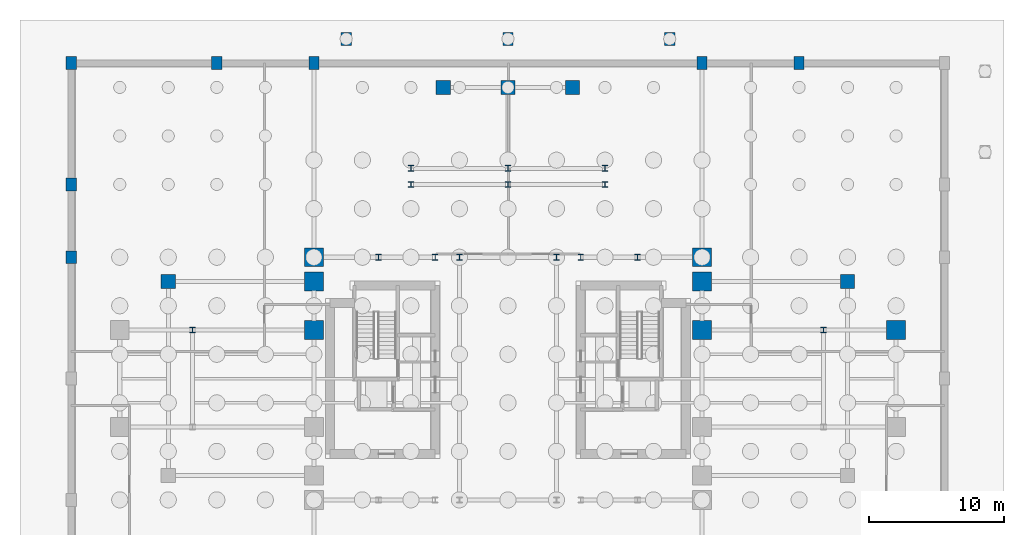
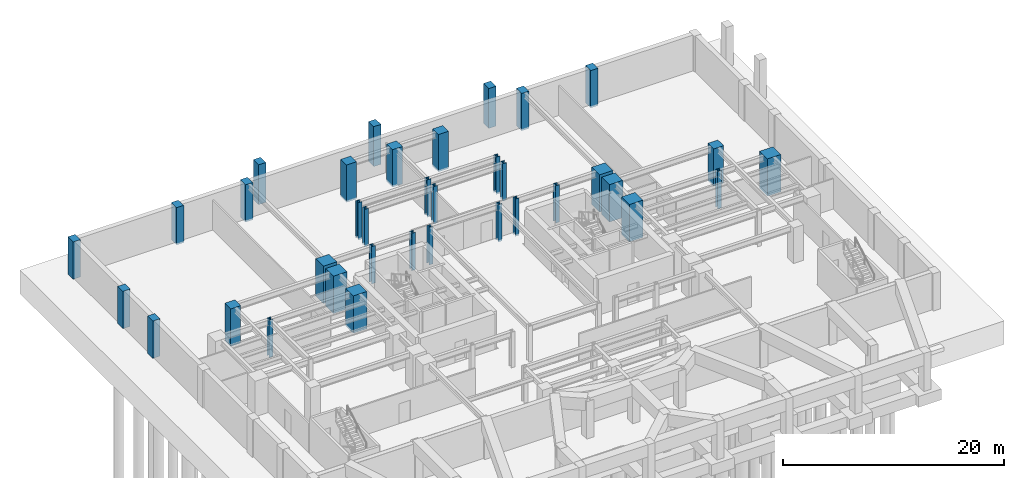
# One storey, part 4 of 13: 36 columns.
"""IFC4 building model written with IfcOpenShell, lengths in metres."""

from ifc_helpers import new_model, si_unit, direction, frame, origin, origin_2d, place, context, subcontext, project, spatial, rectangle, i_section, extrude, source, transform, mapped, material, material_profile, profile_set, type_object, element, save


model = new_model("IFC4")

# Units and contexts
model_context = context("Model", 3, precision=1e-05, world=origin(), true_north=direction((0.0, 1.0)))
body_context = subcontext(model_context, "Body", "Model", "MODEL_VIEW")
ifc_project = project(units=[si_unit("LENGTHUNIT", "METRE"), si_unit("AREAUNIT", "SQUARE_METRE"), si_unit("VOLUMEUNIT", "CUBIC_METRE"), si_unit("PLANEANGLEUNIT", "RADIAN"), si_unit("MASSUNIT", "GRAM", prefix="KILO")], contexts=[model_context])

# Site, building, storey
site_placement = place(None, origin())
site = spatial("IfcSite", under=ifc_project, at=site_placement, CompositionType="ELEMENT")
building_placement = place(site_placement, origin())
building = spatial("IfcBuilding", under=site, at=building_placement, Name="Keilestroom Media Tower", CompositionType="ELEMENT")
storey_placement = place(building_placement, frame((0.0, 0.0, -8.39990234375)))
storey = spatial("IfcBuildingStorey", under=building, at=storey_placement, Name="B2", CompositionType="ELEMENT", Elevation=-8.39990234375)

# Columns
ifc_material_1 = material(Name="Precast concrete C40/50", Category="concrete")
ifc_material_profile_1 = material_profile(ifc_material_1, rectangle(XDim=0.75, YDim=0.949951171875, at=origin_2d()), Name="PC 950x750")
ifc_profile_set_1 = profile_set([ifc_material_profile_1], Name="Precast concrete C40/50")
column_type_1 = type_object("IfcColumnType", Name="Structural-Column-PC-950x750", PredefinedType="COLUMN", material=ifc_profile_set_1)
shared_shape_1 = source(origin(), body_context, "Body", "SweptSolid", [
    extrude(rectangle(XDim=0.75, YDim=0.949951171875, at=origin_2d()), origin(), (0.0, 0.0, 1.0), 4.1201171875),
])
for number, where, z_axis, x_axis, name in (
    (1, (-32.39990234375, 9.0, -0.2001953125), (0.0, 0.0, 1.0), (1.0, 0.0, 0.0), "B2 Column PC-1 (-32.4,+9.0)"),
    (2, (-32.39990234375, 14.39990234375, -0.2001953125), (0.0, 0.0, 1.0), (1.0, 0.0, 0.0), "B2 Column PC-1 (-32.4,+14.4)"),
    (3, (-32.39990234375, 23.39990234375, -0.2001953125), (0.0, 0.0, 1.0), (1.0, 0.0, 0.0), "B2 Column PC-1 (-32.4,+23.4)"),
    (4, (-21.60009765625, 23.39990234375, -0.2001953125), (0.0, 0.0, 1.0), (1.0, 0.0, 0.0), "B2 Column PC-1 (-21.6,+23.4)"),
    (5, (-14.39990234375, 23.39990234375, -0.2001953125), (0.0, 0.0, 1.0), (1.0, 0.0, 0.0), "B2 Column PC-1 (-14.4,+23.4)"),
    (6, (14.39990234375, 23.39990234375, -0.2001953125), (0.0, 0.0, 1.0), (1.0, 0.0, 0.0), "B2 Column PC-1 (+14.4,+23.4)"),
    (7, (21.60009765625, 23.39990234375, -0.2001953125), (0.0, 0.0, 1.0), (1.0, 0.0, 0.0), "B2 Column PC-1 (+21.6,+23.4)"),
):
    element("IfcColumn", number, at=place(storey_placement, frame(where, z_axis=z_axis, x_axis=x_axis)), inside=storey, type_object=column_type_1, Name=name, PredefinedType="COLUMN", context=body_context, shape_type="MappedRepresentation", body=[
        mapped(shared_shape_1, transform((0.0, 0.0, 0.0), x_axis=(1.0, 0.0, 0.0), y_axis=(0.0, 1.0, 0.0), z_axis=(0.0, 0.0, 1.0), scale=1.0)),
    ])
ifc_material_2 = material(Name="Concrete C70/85", Category="concrete")
ifc_material_profile_2 = material_profile(ifc_material_2, rectangle(XDim=1.39990234375, YDim=1.39990234375, at=origin_2d()), Name="RC 1400x1400")
ifc_profile_set_2 = profile_set([ifc_material_profile_2], Name="Concrete C70/85")
column_type_2 = type_object("IfcColumnType", Name="Structural-Column-RC-1400x1400", PredefinedType="COLUMN", material=ifc_profile_set_2)
shared_shape_2 = source(origin(), body_context, "Body", "SweptSolid", [
    extrude(rectangle(XDim=1.39990234375, YDim=1.39990234375, at=origin_2d()), origin(), (0.0, 0.0, 1.0), 4.1201171875),
])
for number, where, z_axis, x_axis, name in (
    (8, (-14.39990234375, 3.60009765625, -0.2001953125), (0.0, 0.0, 1.0), (1.0, 0.0, 0.0), "B2 Column MC-1 (-14.4,+3.6)"),
    (9, (-14.39990234375, 7.199951171875, -0.2001953125), (0.0, 0.0, 1.0), (1.0, 0.0, 0.0), "B2 Column MC-1 (-14.4,+7.2)"),
    (10, (-14.39990234375, 9.0, -0.2001953125), (0.0, 0.0, 1.0), (1.0, 0.0, 0.0), "B2 Column MC-1 (-14.4,+9.0)"),
    (11, (14.39990234375, 3.60009765625, -0.2001953125), (0.0, 0.0, 1.0), (1.0, 0.0, 0.0), "B2 Column MC-1 (+14.4,+3.6)"),
    (12, (14.39990234375, 7.199951171875, -0.2001953125), (0.0, 0.0, 1.0), (1.0, 0.0, 0.0), "B2 Column MC-1 (+14.4,+7.2)"),
    (13, (14.39990234375, 9.0, -0.2001953125), (0.0, 0.0, 1.0), (1.0, 0.0, 0.0), "B2 Column MC-1 (+14.4,+9.0)"),
    (14, (28.800048828125, 3.60009765625, -0.2001953125), (0.0, 0.0, 1.0), (1.0, 0.0, 0.0), "B2 Column MC-1 (+28.8,+3.6)"),
):
    element("IfcColumn", number, at=place(storey_placement, frame(where, z_axis=z_axis, x_axis=x_axis)), inside=storey, type_object=column_type_2, Name=name, PredefinedType="COLUMN", context=body_context, shape_type="MappedRepresentation", body=[
        mapped(shared_shape_2, transform((0.0, 0.0, 0.0), x_axis=(1.0, 0.0, 0.0), y_axis=(0.0, 1.0, 0.0), z_axis=(0.0, 0.0, 1.0), scale=1.0)),
    ])
shared_shape_3 = source(origin(), body_context, "Body", "SweptSolid", [
    extrude(rectangle(XDim=0.75, YDim=0.949951171875, at=origin_2d()), origin(), (0.0, 0.0, 1.0), 4.400146484375),
])
for number, where, z_axis, x_axis, name in (
    (15, (-12.0, 25.199951171875, -0.2001953125), (0.0, 0.0, 1.0), (1.0, 0.0, 0.0), "B2 Column PC-1 (-12.0,+25.2)"),
    (16, (0.0, 25.199951171875, -0.2001953125), (0.0, 0.0, 1.0), (1.0, 0.0, 0.0), "B2 Column PC-1 (+0.0,+25.2)"),
    (17, (12.0, 25.199951171875, -0.2001953125), (0.0, 0.0, 1.0), (1.0, 0.0, 0.0), "B2 Column PC-1 (+12.0,+25.2)"),
):
    element("IfcColumn", number, at=place(storey_placement, frame(where, z_axis=z_axis, x_axis=x_axis)), inside=storey, type_object=column_type_1, Name=name, PredefinedType="COLUMN", context=body_context, shape_type="MappedRepresentation", body=[
        mapped(shared_shape_3, transform((0.0, 0.0, 0.0), x_axis=(1.0, 0.0, 0.0), y_axis=(0.0, 1.0, 0.0), z_axis=(0.0, 0.0, 1.0), scale=1.0)),
    ])
ifc_material_3 = material(Name="Concrete C55/67", Category="concrete")
ifc_material_profile_3 = material_profile(ifc_material_3, rectangle(XDim=1.050048828125, YDim=1.050048828125, at=origin_2d()), Name="RC 1050x1050")
ifc_profile_set_3 = profile_set([ifc_material_profile_3], Name="Concrete C55/67")
column_type_3 = type_object("IfcColumnType", Name="Structural-Column-RC-1050x1050", PredefinedType="COLUMN", material=ifc_profile_set_3)
shared_shape_4 = source(origin(), body_context, "Body", "SweptSolid", [
    extrude(rectangle(XDim=1.050048828125, YDim=1.050048828125, at=origin_2d()), origin(), (0.0, 0.0, 1.0), 4.1201171875),
])
for number, where, z_axis, x_axis, name in (
    (18, (-25.199951171875, 7.199951171875, -0.2001953125), (0.0, 0.0, 1.0), (1.0, 0.0, 0.0), "B2 Column MC-3 (-25.2,+7.2)"),
    (19, (-4.800048828125, 21.60009765625, -0.2001953125), (0.0, 0.0, 1.0), (1.0, 0.0, 0.0), "B2 Column MC-3 (-4.8,+21.6)"),
    (20, (0.0, 21.60009765625, -0.2001953125), (0.0, 0.0, 1.0), (1.0, 0.0, 0.0), "B2 Column MC-3 (+0.0,+21.6)"),
    (21, (4.800048828125, 21.60009765625, -0.2001953125), (0.0, 0.0, 1.0), (1.0, 0.0, 0.0), "B2 Column MC-3 (+4.8,+21.6)"),
    (22, (25.199951171875, 7.199951171875, -0.2001953125), (0.0, 0.0, 1.0), (1.0, 0.0, 0.0), "B2 Column MC-3 (+25.2,+7.2)"),
):
    element("IfcColumn", number, at=place(storey_placement, frame(where, z_axis=z_axis, x_axis=x_axis)), inside=storey, type_object=column_type_3, Name=name, PredefinedType="COLUMN", context=body_context, shape_type="MappedRepresentation", body=[
        mapped(shared_shape_4, transform((0.0, 0.0, 0.0), x_axis=(1.0, 0.0, 0.0), y_axis=(0.0, 1.0, 0.0), z_axis=(0.0, 0.0, 1.0), scale=1.0)),
    ])
ifc_material_4 = material(Name="Steel S460", Category="steel")
ifc_material_profile_4 = material_profile(ifc_material_4, i_section(OverallWidth=0.406005859375, OverallDepth=0.416015625, WebThickness=0.02392578125, FlangeThickness=0.0390625, at=origin_2d()), Name="HD 400x382")
ifc_profile_set_4 = profile_set([ifc_material_profile_4], Name="Steel S460")
column_type_4 = type_object("IfcColumnType", Name="Structural-Column-HD-400x382", PredefinedType="COLUMN", material=ifc_profile_set_4)
shared_shape_5 = source(origin(), body_context, "Body", "SweptSolid", [
    extrude(i_section(OverallWidth=0.406005859375, OverallDepth=0.416015625, WebThickness=0.02392578125, FlangeThickness=0.0390625, at=origin_2d()), origin(), (0.0, 0.0, 1.0), 4.1201171875),
])
for number, where, z_axis, x_axis, name in (
    (23, (-23.39990234375, 3.60009765625, -0.2001953125), (0.0, 0.0, 1.0), (1.0, 0.0, 0.0), "B2 Column SC-1 (-23.4,+3.6)"),
    (24, (-9.60009765625, 9.0, -0.2001953125), (0.0, 0.0, 1.0), (1.0, 0.0, 0.0), "B2 Column SC-1 (-9.6,+9.0)"),
    (25, (-7.199951171875, 14.39990234375, -0.2001953125), (0.0, 0.0, 1.0), (1.0, 0.0, 0.0), "B2 Column SC-1 (-7.2,+14.4)"),
    (26, (-7.199951171875, 15.60009765625, -0.2001953125), (0.0, 0.0, 1.0), (1.0, 0.0, 0.0), "B2 Column SC-1 (-7.2,+15.6)"),
    (27, (-5.39990234375, 9.0, -0.2001953125), (0.0, 0.0, 1.0), (1.0, 0.0, 0.0), "B2 Column SC-1 (-5.4,+9.0)"),
    (28, (-3.60009765625, 9.0, -0.2001953125), (0.0, 0.0, 1.0), (1.0, 0.0, 0.0), "B2 Column SC-1 (-3.6,+9.0)"),
    (29, (0.0, 14.39990234375, -0.2001953125), (0.0, 0.0, 1.0), (1.0, 0.0, 0.0), "B2 Column SC-1 (+0.0,+14.4)"),
    (30, (0.0, 15.60009765625, -0.2001953125), (0.0, 0.0, 1.0), (1.0, 0.0, 0.0), "B2 Column SC-1 (+0.0,+15.6)"),
    (31, (3.60009765625, 9.0, -0.2001953125), (0.0, 0.0, 1.0), (1.0, 0.0, 0.0), "B2 Column SC-1 (+3.6,+9.0)"),
    (32, (5.39990234375, 9.0, -0.2001953125), (0.0, 0.0, 1.0), (1.0, 0.0, 0.0), "B2 Column SC-1 (+5.4,+9.0)"),
    (33, (7.199951171875, 14.39990234375, -0.2001953125), (0.0, 0.0, 1.0), (1.0, 0.0, 0.0), "B2 Column SC-1 (+7.2,+14.4)"),
    (34, (7.199951171875, 15.60009765625, -0.2001953125), (0.0, 0.0, 1.0), (1.0, 0.0, 0.0), "B2 Column SC-1 (+7.2,+15.6)"),
    (35, (9.60009765625, 9.0, -0.2001953125), (0.0, 0.0, 1.0), (1.0, 0.0, 0.0), "B2 Column SC-1 (+9.6,+9.0)"),
    (36, (23.39990234375, 3.60009765625, -0.2001953125), (0.0, 0.0, 1.0), (1.0, 0.0, 0.0), "B2 Column SC-1 (+23.4,+3.6)"),
):
    element("IfcColumn", number, at=place(storey_placement, frame(where, z_axis=z_axis, x_axis=x_axis)), inside=storey, type_object=column_type_4, Name=name, PredefinedType="COLUMN", context=body_context, shape_type="MappedRepresentation", body=[
        mapped(shared_shape_5, transform((0.0, 0.0, 0.0), x_axis=(1.0, 0.0, 0.0), y_axis=(0.0, 1.0, 0.0), z_axis=(0.0, 0.0, 1.0), scale=1.0)),
    ])

save(model, "model.ifc")
